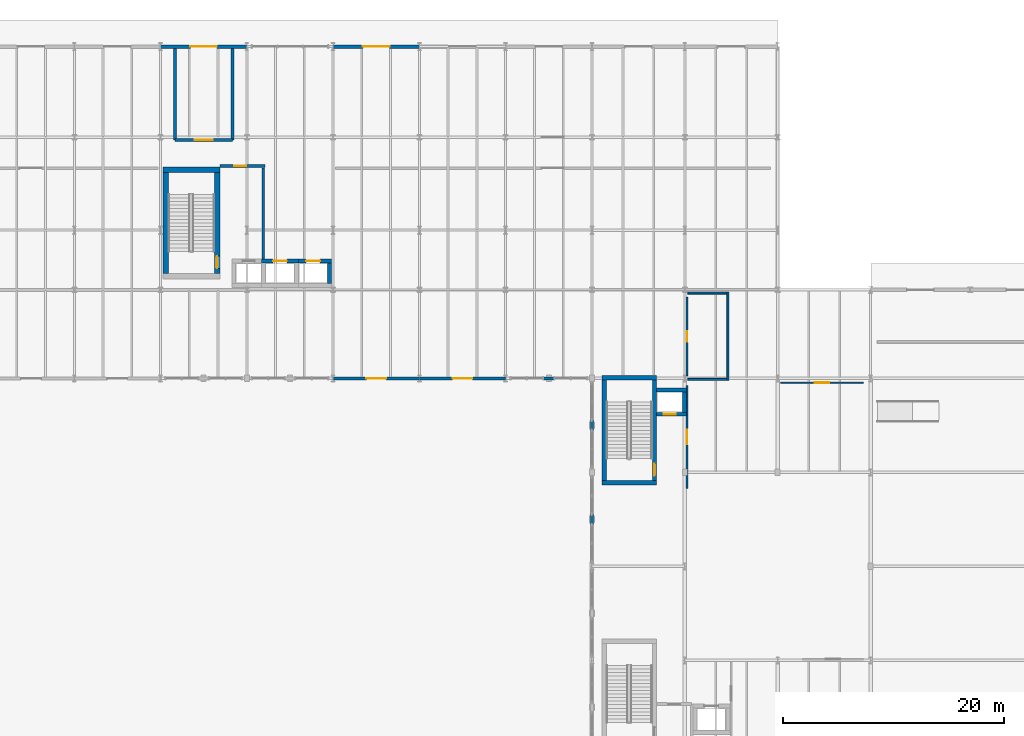
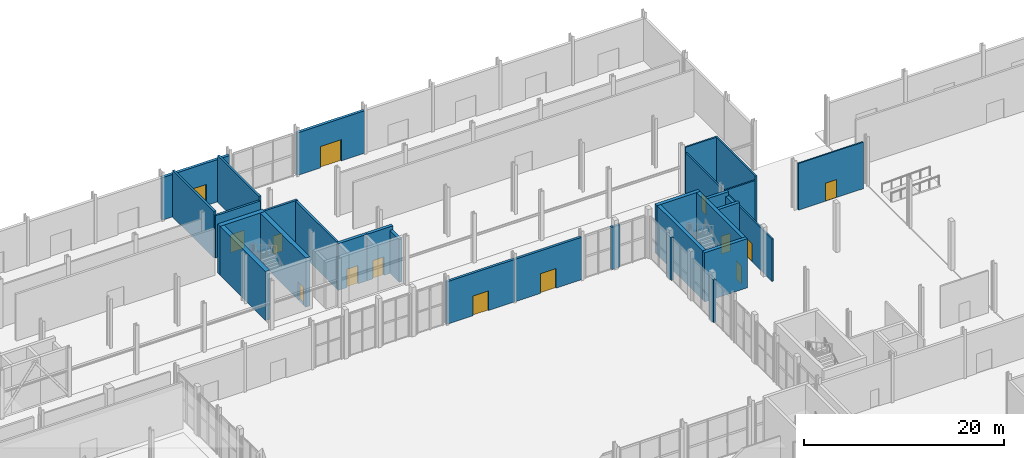
# One storey, part 60 of 84: 31 walls, 14 doors, 14 openings.
"""IFC4 building model written with IfcOpenShell, lengths in metres."""

from ifc_helpers import new_model, si_unit, direction, frame, frame_2d, origin, place, context, subcontext, project, spatial, rectangle, extrude, material, layer, layer_set, type_object, element, fill, save


model = new_model("IFC4")

# Units and contexts
model_context = context("Model", 3, precision=1e-05, world=origin(), true_north=direction((0.0, 1.0)))
body_context = subcontext(model_context, "Body", "Model", "MODEL_VIEW")
ifc_project = project(units=[si_unit("LENGTHUNIT", "METRE"), si_unit("AREAUNIT", "SQUARE_METRE"), si_unit("VOLUMEUNIT", "CUBIC_METRE"), si_unit("PLANEANGLEUNIT", "RADIAN"), si_unit("MASSUNIT", "GRAM", prefix="KILO")], contexts=[model_context])

# Site, building, storey
site_placement = place(None, origin())
site = spatial("IfcSite", under=ifc_project, at=site_placement, CompositionType="ELEMENT")
building_placement = place(site_placement, origin())
building = spatial("IfcBuilding", under=site, at=building_placement, Name="Sefraquen Railside Congress Hotel", CompositionType="ELEMENT")
storey_placement = place(building_placement, origin())
storey = spatial("IfcBuildingStorey", under=building, at=storey_placement, Name="L00", CompositionType="ELEMENT", Elevation=0.0)

# Wall, opening, door
ifc_material_1 = material(Name="Concrete C50/60", Category="concrete")
ifc_layer_1 = layer(ifc_material_1, 0.35009765625)
ifc_layer_set_1 = layer_set([ifc_layer_1], Name="Concrete C50/60")
wall_type_1 = type_object("IfcWallType", Name="TW-CW-350", PredefinedType="SHEAR", material=ifc_layer_set_1)
wall_1_placement = place(storey_placement, frame((73.330078125, 98.594970703125, 0.0), z_axis=(0.0, 0.0, 1.0), x_axis=(1.0, 0.0, 0.0)))
wall_1 = element("IfcWall", 1, at=wall_1_placement, inside=storey, type_object=wall_type_1, Name="Lift PL-05 shaft wall N L00", PredefinedType="SHEAR", context=body_context, shape_type="SweptSolid", body=[
    extrude(rectangle(XDim=3.33984375, YDim=0.35009765625, at=frame_2d((1.669921875, 0.0))), origin(), (0.0, 0.0, 1.0), 5.699951171875),
])
opening_1_placement = place(wall_1_placement, frame((1.044921875, 0.0, 0.0)))
opening_1 = element("IfcOpeningElement", 2, at=opening_1_placement, cuts=wall_1, Name="Opening LD-02", PredefinedType="OPENING", context=body_context, shape_type="SweptSolid", body=[
    extrude(rectangle(XDim=1.25, YDim=2.25, at=frame_2d((0.625, 1.125))), frame((0.0, 0.18505859375, 0.0), z_axis=(0.0, -1.0, 0.0), x_axis=(1.0, 0.0, 0.0)), (0.0, 0.0, 1.0), 0.3701171875),
])
ifc_material_2 = material(Name="Brushed stainless steel", Category="steel")
door_type_1 = type_object("IfcDoorType", Name="TD-LD-02", OperationType="NOTDEFINED", PredefinedType="DOOR", material=ifc_material_2)
door_1_placement = place(opening_1_placement, origin())
door_1 = element("IfcDoor", 3, at=door_1_placement, inside=storey, type_object=door_type_1, Name="Lift landing door PL-05 L00", OperationType="SLIDING_TO_LEFT", OverallHeight=2.25, OverallWidth=1.25, PredefinedType="DOOR", context=body_context, shape_type="SweptSolid", body=[
    extrude(rectangle(XDim=1.25, YDim=2.25, at=frame_2d((0.625, 1.125))), frame((0.0, 0.02490234375, 0.0), z_axis=(0.0, -1.0, 0.0), x_axis=(1.0, 0.0, 0.0)), (0.0, 0.0, 1.0), 0.050048828125),
])
fill(opening_1, door_1)

wall_2_placement = place(storey_placement, frame((76.669921875, 98.594970703125, 0.0), z_axis=(0.0, 0.0, 1.0), x_axis=(1.0, 0.0, 0.0)))
wall_2 = element("IfcWall", 4, at=wall_2_placement, inside=storey, type_object=wall_type_1, Name="Lift PL-06 shaft wall N L00", PredefinedType="SHEAR", context=body_context, shape_type="SweptSolid", body=[
    extrude(rectangle(XDim=2.989990234375, YDim=0.35009765625, at=frame_2d((1.4951171875, 0.0))), origin(), (0.0, 0.0, 1.0), 5.699951171875),
])
opening_2_placement = place(wall_2_placement, frame((0.695068359375, 0.0, 0.0)))
opening_2 = element("IfcOpeningElement", 5, at=opening_2_placement, cuts=wall_2, Name="Opening LD-02", PredefinedType="OPENING", context=body_context, shape_type="SweptSolid", body=[
    extrude(rectangle(XDim=1.25, YDim=2.25, at=frame_2d((0.625, 1.125))), frame((0.0, 0.18505859375, 0.0), z_axis=(0.0, -1.0, 0.0), x_axis=(1.0, 0.0, 0.0)), (0.0, 0.0, 1.0), 0.3701171875),
])
door_2_placement = place(opening_2_placement, origin())
door_2 = element("IfcDoor", 6, at=door_2_placement, inside=storey, type_object=door_type_1, Name="Lift landing door PL-06 L00", OperationType="SLIDING_TO_LEFT", OverallHeight=2.25, OverallWidth=1.25, PredefinedType="DOOR", context=body_context, shape_type="SweptSolid", body=[
    extrude(rectangle(XDim=1.25, YDim=2.25, at=frame_2d((0.625, 1.125))), frame((0.0, 0.02490234375, 0.0), z_axis=(0.0, -1.0, 0.0), x_axis=(1.0, 0.0, 0.0)), (0.0, 0.0, 1.0), 0.050048828125),
])
fill(opening_2, door_2)

# Walls
wall_3_placement = place(storey_placement, frame((79.485107421875, 96.580078125, 0.0), z_axis=(0.0, 0.0, 1.0), x_axis=(0.0, 1.0, 0.0)))
element("IfcWall", 7, at=wall_3_placement, inside=storey, type_object=wall_type_1, Name="Lift PL-06 shaft wall E L00", PredefinedType="SHEAR", context=body_context, shape_type="SweptSolid", body=[
    extrude(rectangle(XDim=1.83984375, YDim=0.35009765625, at=frame_2d((0.919921875, 0.0))), origin(), (0.0, 0.0, 1.0), 5.239990234375),
])
wall_4_placement = place(storey_placement, frame((109.06005859375, 86.945068359375, 0.0), z_axis=(0.0, 0.0, 1.0), x_axis=(1.0, 0.0, 0.0)))
element("IfcWall", 8, at=wall_4_placement, inside=storey, type_object=wall_type_1, Name="Lift PL-07 shaft wall N L00", PredefinedType="SHEAR", context=body_context, shape_type="SweptSolid", body=[
    extrude(rectangle(XDim=2.68994140625, YDim=0.35009765625, at=frame_2d((1.344970703125, 0.0))), origin(), (0.0, 0.0, 1.0), 5.699951171875),
])

# Wall, opening, door
wall_5_placement = place(storey_placement, frame((109.06005859375, 84.7548828125, 0.0), z_axis=(0.0, 0.0, 1.0), x_axis=(1.0, 0.0, 0.0)))
wall_5 = element("IfcWall", 9, at=wall_5_placement, inside=storey, type_object=wall_type_1, Name="Lift PL-07 shaft wall S L00", PredefinedType="SHEAR", context=body_context, shape_type="SweptSolid", body=[
    extrude(rectangle(XDim=2.68994140625, YDim=0.35009765625, at=frame_2d((1.344970703125, 0.0))), origin(), (0.0, 0.0, 1.0), 5.699951171875),
])
opening_3_placement = place(wall_5_placement, frame((0.6201171875, 0.0, 0.0)))
opening_3 = element("IfcOpeningElement", 10, at=opening_3_placement, cuts=wall_5, Name="Opening LD-01", PredefinedType="OPENING", context=body_context, shape_type="SweptSolid", body=[
    extrude(rectangle(XDim=1.10009765625, YDim=2.199951171875, at=frame_2d((0.550048828125, 1.10009765625))), frame((0.0, 0.18505859375, 0.0), z_axis=(0.0, -1.0, 0.0), x_axis=(1.0, 0.0, 0.0)), (0.0, 0.0, 1.0), 0.3701171875),
])
ifc_material_3 = material(Name="Brushed bronze stainless steel", Category="steel")
door_type_2 = type_object("IfcDoorType", Name="TD-LD-01", OperationType="NOTDEFINED", PredefinedType="DOOR", material=ifc_material_3)
door_3_placement = place(opening_3_placement, origin())
door_3 = element("IfcDoor", 11, at=door_3_placement, inside=storey, type_object=door_type_2, Name="Lift landing door PL-07 L00", OperationType="SLIDING_TO_LEFT", OverallHeight=2.199951171875, OverallWidth=1.10009765625, PredefinedType="DOOR", context=body_context, shape_type="SweptSolid", body=[
    extrude(rectangle(XDim=1.10009765625, YDim=2.199951171875, at=frame_2d((0.550048828125, 1.10009765625))), frame((0.0, 0.02490234375, 0.0), z_axis=(0.0, -1.0, 0.0), x_axis=(1.0, 0.0, 0.0)), (0.0, 0.0, 1.0), 0.050048828125),
])
fill(opening_3, door_3)

# Walls
wall_6_placement = place(storey_placement, frame((111.574951171875, 84.929931640625, 0.0), z_axis=(0.0, 0.0, 1.0), x_axis=(0.0, 1.0, 0.0)))
element("IfcWall", 12, at=wall_6_placement, inside=storey, type_object=wall_type_1, Name="Lift PL-07 shaft wall E L00", PredefinedType="SHEAR", context=body_context, shape_type="SweptSolid", body=[
    extrude(rectangle(XDim=1.840087890625, YDim=0.35009765625, at=frame_2d((0.919921875, 0.0))), origin(), (0.0, 0.0, 1.0), 5.199951171875),
])
ifc_layer_2 = layer(ifc_material_1, 0.39990234375)
ifc_layer_set_2 = layer_set([ifc_layer_2], Name="Concrete C50/60")
wall_type_2 = type_object("IfcWallType", Name="TW-CW-400", PredefinedType="SHEAR", material=ifc_layer_set_2)
for number, where, z_axis, x_axis, name in (
    (13, (104.10009765625, 88.06201171875, 0.0), (0.0, 0.0, 1.0), (1.0, 0.0, 0.0), "Core shear wall ST-M01 N L00"),
    (14, (104.10009765625, 78.550048828125, 0.0), (0.0, 0.0, 1.0), (1.0, 0.0, 0.0), "Core shear wall ST-M01 S L00"),
):
    element("IfcWall", number, at=place(storey_placement, frame(where, z_axis=z_axis, x_axis=x_axis)), inside=storey, type_object=wall_type_2, Name=name, PredefinedType="SHEAR", context=body_context, shape_type="SweptSolid", body=[
        extrude(rectangle(XDim=4.9599609375, YDim=0.39990234375, at=frame_2d((2.47998046875, 0.0))), origin(), (0.0, 0.0, 1.0), 6.0),
    ])
wall_7_placement = place(storey_placement, frame((104.300048828125, 78.75, 0.0), z_axis=(0.0, 0.0, 1.0), x_axis=(0.0, 1.0, 0.0)))
element("IfcWall", 15, at=wall_7_placement, inside=storey, type_object=wall_type_2, Name="Core shear wall ST-M01 W L00", PredefinedType="SHEAR", context=body_context, shape_type="SweptSolid", body=[
    extrude(rectangle(XDim=9.112060546875, YDim=0.39990234375, at=frame_2d((4.55615234375, 0.0))), origin(), (0.0, 0.0, 1.0), 6.0),
])

# Wall, opening, door
wall_8_placement = place(storey_placement, frame((108.860107421875, 78.75, 0.0), z_axis=(0.0, 0.0, 1.0), x_axis=(0.0, 1.0, 0.0)))
wall_8 = element("IfcWall", 16, at=wall_8_placement, inside=storey, type_object=wall_type_2, Name="Core shear wall ST-M01 E L00", PredefinedType="SHEAR", context=body_context, shape_type="SweptSolid", body=[
    extrude(rectangle(XDim=9.112060546875, YDim=0.39990234375, at=frame_2d((4.55615234375, 0.0))), origin(), (0.0, 0.0, 1.0), 6.0),
])
opening_4_placement = place(wall_8_placement, frame((0.43994140625, 0.0, 0.0)))
opening_4 = element("IfcOpeningElement", 17, at=opening_4_placement, cuts=wall_8, Name="Opening FD-04", PredefinedType="OPENING", context=body_context, shape_type="SweptSolid", body=[
    extrude(rectangle(XDim=1.10009765625, YDim=2.199951171875, at=frame_2d((0.550048828125, 1.10009765625))), frame((0.0, 0.2099609375, 0.0), z_axis=(0.0, -1.0, 0.0), x_axis=(1.0, 0.0, 0.0)), (0.0, 0.0, 1.0), 0.419921875),
])
ifc_material_4 = material(Name="Fire-rated steel", Category="steel")
door_type_3 = type_object("IfcDoorType", Name="TD-FD-04", OperationType="NOTDEFINED", PredefinedType="DOOR", material=ifc_material_4)
door_4_placement = place(opening_4_placement, origin())
door_4 = element("IfcDoor", 18, at=door_4_placement, inside=storey, type_object=door_type_3, Name="Pressurized stair ST-M01 fire door L00", OperationType="SINGLE_SWING_RIGHT", OverallHeight=2.199951171875, OverallWidth=1.10009765625, PredefinedType="DOOR", context=body_context, shape_type="SweptSolid", body=[
    extrude(rectangle(XDim=1.10009765625, YDim=2.199951171875, at=frame_2d((0.550048828125, 1.10009765625))), frame((0.0, 0.02490234375, 0.0), z_axis=(0.0, -1.0, 0.0), x_axis=(1.0, 0.0, 0.0)), (0.0, 0.0, 1.0), 0.050048828125),
])
fill(opening_4, door_4)

# Walls
ifc_layer_3 = layer(ifc_material_1, 0.5)
ifc_layer_set_3 = layer_set([ifc_layer_3], Name="Concrete C50/60")
wall_type_3 = type_object("IfcWallType", Name="TW-CW-500", PredefinedType="SHEAR", material=ifc_layer_set_3)
wall_9_placement = place(storey_placement, frame((64.39990234375, 106.862060546875, 0.0), z_axis=(0.0, 0.0, 1.0), x_axis=(1.0, 0.0, 0.0)))
element("IfcWall", 19, at=wall_9_placement, inside=storey, type_object=wall_type_3, Name="Core shear wall ST-H03 N L00", PredefinedType="SHEAR", context=body_context, shape_type="SweptSolid", body=[
    extrude(rectangle(XDim=5.16015625, YDim=0.5, at=frame_2d((2.580078125, 0.0))), origin(), (0.0, 0.0, 1.0), 6.0),
])
wall_10_placement = place(storey_placement, frame((64.64990234375, 97.5, 0.0), z_axis=(0.0, 0.0, 1.0), x_axis=(0.0, 1.0, 0.0)))
element("IfcWall", 20, at=wall_10_placement, inside=storey, type_object=wall_type_3, Name="Core shear wall ST-H03 W L00", PredefinedType="SHEAR", context=body_context, shape_type="SweptSolid", body=[
    extrude(rectangle(XDim=9.112060546875, YDim=0.5, at=frame_2d((4.55615234375, 0.0))), origin(), (0.0, 0.0, 1.0), 6.0),
])

# Wall, opening, door
wall_11_placement = place(storey_placement, frame((69.31005859375, 97.5, 0.0), z_axis=(0.0, 0.0, 1.0), x_axis=(0.0, 1.0, 0.0)))
wall_11 = element("IfcWall", 21, at=wall_11_placement, inside=storey, type_object=wall_type_3, Name="Core shear wall ST-H03 E L00", PredefinedType="SHEAR", context=body_context, shape_type="SweptSolid", body=[
    extrude(rectangle(XDim=9.112060546875, YDim=0.5, at=frame_2d((4.55615234375, 0.0))), origin(), (0.0, 0.0, 1.0), 6.0),
])
opening_5_placement = place(wall_11_placement, frame((0.43994140625, 0.0, 0.0)))
opening_5 = element("IfcOpeningElement", 22, at=opening_5_placement, cuts=wall_11, Name="Opening FD-04", PredefinedType="OPENING", context=body_context, shape_type="SweptSolid", body=[
    extrude(rectangle(XDim=1.10009765625, YDim=2.199951171875, at=frame_2d((0.550048828125, 1.10009765625))), frame((0.0, 0.260009765625, 0.0), z_axis=(0.0, -1.0, 0.0), x_axis=(1.0, 0.0, 0.0)), (0.0, 0.0, 1.0), 0.52001953125),
])
door_5_placement = place(opening_5_placement, origin())
door_5 = element("IfcDoor", 23, at=door_5_placement, inside=storey, type_object=door_type_3, Name="Pressurized stair ST-H03 fire door L00", OperationType="SINGLE_SWING_RIGHT", OverallHeight=2.199951171875, OverallWidth=1.10009765625, PredefinedType="DOOR", context=body_context, shape_type="SweptSolid", body=[
    extrude(rectangle(XDim=1.10009765625, YDim=2.199951171875, at=frame_2d((0.550048828125, 1.10009765625))), frame((0.0, 0.02490234375, 0.0), z_axis=(0.0, -1.0, 0.0), x_axis=(1.0, 0.0, 0.0)), (0.0, 0.0, 1.0), 0.050048828125),
])
fill(opening_5, door_5)

ifc_material_5 = material(Name="Ochre Rabat calcarenite limestone and Concrete C40/50 backing", Category="masonry")
ifc_layer_4 = layer(ifc_material_5, 0.280029296875)
ifc_layer_set_4 = layer_set([ifc_layer_4], Name="Ochre Rabat calcarenite limestone and Concrete C40/50 backing")
wall_type_4 = type_object("IfcWallType", Name="TW-EW-280", PredefinedType="STANDARD", material=ifc_layer_set_4)
wall_12_placement = place(storey_placement, frame((79.800048828125, 88.0, 0.0), z_axis=(0.0, 0.0, 1.0), x_axis=(1.0, 0.0, 0.0)))
wall_12 = element("IfcWall", 24, at=wall_12_placement, inside=storey, type_object=wall_type_4, Name="Courtyard north portal wall 79", PredefinedType="STANDARD", context=body_context, shape_type="SweptSolid", body=[
    extrude(rectangle(XDim=7.800048828125, YDim=0.280029296875, at=frame_2d((3.89990234375, 0.0))), origin(), (0.0, 0.0, 1.0), 5.18994140625),
])
opening_6_placement = place(wall_12_placement, frame((3.0, 0.0, 0.0)))
opening_6 = element("IfcOpeningElement", 25, at=opening_6_placement, cuts=wall_12, Name="Opening ED-07", PredefinedType="OPENING", context=body_context, shape_type="SweptSolid", body=[
    extrude(rectangle(XDim=1.800048828125, YDim=2.39990234375, at=frame_2d((0.89990234375, 1.199951171875))), frame((0.0, 0.14990234375, 0.0), z_axis=(0.0, -1.0, 0.0), x_axis=(1.0, 0.0, 0.0)), (0.0, 0.0, 1.0), 0.300048828125),
])
ifc_material_6 = material(Name="Bronze and low-E fire-rated glass", Category="glass")
door_type_4 = type_object("IfcDoorType", Name="TD-ED-07", OperationType="NOTDEFINED", PredefinedType="DOOR", material=ifc_material_6)
door_6_placement = place(opening_6_placement, frame((1.800048828125, 0.0, 0.0), z_axis=(0.0, 0.0, 1.0), x_axis=(-1.0, 0.0, 0.0)))
door_6 = element("IfcDoor", 26, at=door_6_placement, inside=storey, type_object=door_type_4, Name="Courtyard garden exit door 20", OperationType="DOUBLE_SWING_LEFT", OverallHeight=2.39990234375, OverallWidth=1.800048828125, PredefinedType="DOOR", context=body_context, shape_type="SweptSolid", body=[
    extrude(rectangle(XDim=1.800048828125, YDim=2.39990234375, at=frame_2d((0.89990234375, 1.199951171875))), frame((0.0, 0.02490234375, 0.0), z_axis=(0.0, -1.0, 0.0), x_axis=(1.0, 0.0, 0.0)), (0.0, 0.0, 1.0), 0.050048828125),
])
fill(opening_6, door_6)

wall_13_placement = place(storey_placement, frame((87.60009765625, 88.0, 0.0), z_axis=(0.0, 0.0, 1.0), x_axis=(1.0, 0.0, 0.0)))
wall_13 = element("IfcWall", 27, at=wall_13_placement, inside=storey, type_object=wall_type_4, Name="Courtyard north portal wall 87", PredefinedType="STANDARD", context=body_context, shape_type="SweptSolid", body=[
    extrude(rectangle(XDim=7.7998046875, YDim=0.280029296875, at=frame_2d((3.89990234375, 0.0))), origin(), (0.0, 0.0, 1.0), 5.18994140625),
])
opening_7_placement = place(wall_13_placement, frame((3.0, 0.0, 0.0)))
opening_7 = element("IfcOpeningElement", 28, at=opening_7_placement, cuts=wall_13, Name="Opening ED-07", PredefinedType="OPENING", context=body_context, shape_type="SweptSolid", body=[
    extrude(rectangle(XDim=1.800048828125, YDim=2.39990234375, at=frame_2d((0.89990234375, 1.199951171875))), frame((0.0, 0.14990234375, 0.0), z_axis=(0.0, -1.0, 0.0), x_axis=(1.0, 0.0, 0.0)), (0.0, 0.0, 1.0), 0.300048828125),
])
door_7_placement = place(opening_7_placement, frame((1.800048828125, 0.0, 0.0), z_axis=(0.0, 0.0, 1.0), x_axis=(-1.0, 0.0, 0.0)))
door_7 = element("IfcDoor", 29, at=door_7_placement, inside=storey, type_object=door_type_4, Name="Courtyard garden exit door 21", OperationType="DOUBLE_SWING_LEFT", OverallHeight=2.39990234375, OverallWidth=1.800048828125, PredefinedType="DOOR", context=body_context, shape_type="SweptSolid", body=[
    extrude(rectangle(XDim=1.800048828125, YDim=2.39990234375, at=frame_2d((0.89990234375, 1.199951171875))), frame((0.0, 0.02490234375, 0.0), z_axis=(0.0, -1.0, 0.0), x_axis=(1.0, 0.0, 0.0)), (0.0, 0.0, 1.0), 0.050048828125),
])
fill(opening_7, door_7)

# Walls
wall_14_placement = place(storey_placement, frame((98.820068359375, 88.0, 0.0), z_axis=(0.0, 0.0, 1.0), x_axis=(1.0, 0.0, 0.0)))
element("IfcWall", 30, at=wall_14_placement, inside=storey, type_object=wall_type_4, Name="Courtyard north arcade curtain wall UCW-14 column pier closure 1", PredefinedType="STANDARD", context=body_context, shape_type="SweptSolid", body=[
    extrude(rectangle(XDim=0.9599609375, YDim=0.260009765625, at=frame_2d((0.47998046875, 0.0))), origin(), (0.0, 0.0, 1.0), 5.18994140625),
])
for number, where, z_axis, x_axis, name in (
    (31, (103.199951171875, 74.77001953125, 0.0), (0.0, 0.0, 1.0), (0.0, 1.0, 0.0), "Courtyard east arcade curtain wall UCW-20 column pier closure 1"),
    (32, (103.199951171875, 83.27001953125, 0.0), (0.0, 0.0, 1.0), (0.0, 1.0, 0.0), "Courtyard east arcade curtain wall UCW-22 column pier closure 1"),
):
    element("IfcWall", number, at=place(storey_placement, frame(where, z_axis=z_axis, x_axis=x_axis)), inside=storey, type_object=wall_type_4, Name=name, PredefinedType="STANDARD", context=body_context, shape_type="SweptSolid", body=[
        extrude(rectangle(XDim=0.9599609375, YDim=0.260009765625, at=frame_2d((0.47998046875, 0.0))), origin(), (0.0, 0.0, 1.0), 5.199951171875),
    ])

# Wall, opening, door
ifc_layer_5 = layer(ifc_material_5, 0.320068359375)
ifc_layer_set_5 = layer_set([ifc_layer_5], Name="Ochre Rabat calcarenite limestone and Concrete C40/50 backing")
wall_type_5 = type_object("IfcWallType", Name="TW-EW-320", PredefinedType="STANDARD", material=ifc_layer_set_5)
wall_15_placement = place(storey_placement, frame((64.199951171875, 118.0, 0.0), z_axis=(0.0, 0.0, 1.0), x_axis=(1.0, 0.0, 0.0)))
wall_15 = element("IfcWall", 33, at=wall_15_placement, inside=storey, type_object=wall_type_5, Name="Hotel Boulevard entrance portal wall 6", PredefinedType="STANDARD", context=body_context, shape_type="SweptSolid", body=[
    extrude(rectangle(XDim=7.800048828125, YDim=0.320068359375, at=frame_2d((3.89990234375, 0.0))), origin(), (0.0, 0.0, 1.0), 5.18994140625),
])
opening_8_placement = place(wall_15_placement, frame((2.699951171875, 0.0, 0.0)))
opening_8 = element("IfcOpeningElement", 34, at=opening_8_placement, cuts=wall_15, Name="Opening ED-01", PredefinedType="OPENING", context=body_context, shape_type="SweptSolid", body=[
    extrude(rectangle(XDim=2.39990234375, YDim=2.60009765625, at=frame_2d((1.199951171875, 1.300048828125))), frame((0.0, 0.169921875, 0.0), z_axis=(0.0, -1.0, 0.0), x_axis=(1.0, 0.0, 0.0)), (0.0, 0.0, 1.0), 0.340087890625),
])
ifc_material_7 = material(Name="Bronze and fire-rated laminated glass", Category="glass")
door_type_5 = type_object("IfcDoorType", Name="TD-ED-01", OperationType="NOTDEFINED", PredefinedType="DOOR", material=ifc_material_7)
door_8_placement = place(opening_8_placement, origin())
door_8 = element("IfcDoor", 35, at=door_8_placement, inside=storey, type_object=door_type_5, Name="Hotel North Boulevard grand entrance 27", OperationType="DOUBLE_SWING_LEFT", OverallHeight=2.60009765625, OverallWidth=2.39990234375, PredefinedType="DOOR", context=body_context, shape_type="SweptSolid", body=[
    extrude(rectangle(XDim=2.39990234375, YDim=2.60009765625, at=frame_2d((1.199951171875, 1.300048828125))), frame((0.0, 0.02490234375, 0.0), z_axis=(0.0, -1.0, 0.0), x_axis=(1.0, 0.0, 0.0)), (0.0, 0.0, 1.0), 0.050048828125),
])
fill(opening_8, door_8)

wall_16_placement = place(storey_placement, frame((79.800048828125, 118.0, 0.0), z_axis=(0.0, 0.0, 1.0), x_axis=(1.0, 0.0, 0.0)))
wall_16 = element("IfcWall", 36, at=wall_16_placement, inside=storey, type_object=wall_type_5, Name="Hotel Boulevard entrance portal wall 8", PredefinedType="STANDARD", context=body_context, shape_type="SweptSolid", body=[
    extrude(rectangle(XDim=7.800048828125, YDim=0.320068359375, at=frame_2d((3.89990234375, 0.0))), origin(), (0.0, 0.0, 1.0), 5.18994140625),
])
opening_9_placement = place(wall_16_placement, frame((2.699951171875, 0.0, 0.0)))
opening_9 = element("IfcOpeningElement", 37, at=opening_9_placement, cuts=wall_16, Name="Opening ED-01", PredefinedType="OPENING", context=body_context, shape_type="SweptSolid", body=[
    extrude(rectangle(XDim=2.39990234375, YDim=2.60009765625, at=frame_2d((1.199951171875, 1.300048828125))), frame((0.0, 0.169921875, 0.0), z_axis=(0.0, -1.0, 0.0), x_axis=(1.0, 0.0, 0.0)), (0.0, 0.0, 1.0), 0.340087890625),
])
door_9_placement = place(opening_9_placement, origin())
door_9 = element("IfcDoor", 38, at=door_9_placement, inside=storey, type_object=door_type_5, Name="Hotel North Boulevard grand entrance 28", OperationType="DOUBLE_SWING_LEFT", OverallHeight=2.60009765625, OverallWidth=2.39990234375, PredefinedType="DOOR", context=body_context, shape_type="SweptSolid", body=[
    extrude(rectangle(XDim=2.39990234375, YDim=2.60009765625, at=frame_2d((1.199951171875, 1.300048828125))), frame((0.0, 0.02490234375, 0.0), z_axis=(0.0, -1.0, 0.0), x_axis=(1.0, 0.0, 0.0)), (0.0, 0.0, 1.0), 0.050048828125),
])
fill(opening_9, door_9)

# Wall
ifc_material_8 = material(Name="Concrete C40/50", Category="concrete")
ifc_layer_6 = layer(ifc_material_8, 0.239990234375)
ifc_layer_set_6 = layer_set([ifc_layer_6], Name="Concrete C40/50")
wall_type_6 = type_object("IfcWallType", Name="TW-FW-240", PredefinedType="STANDARD", material=ifc_layer_set_6)
wall_17_placement = place(storey_placement, frame((73.47998046875, 98.780029296875, 0.0), z_axis=(0.0, 0.0, 1.0), x_axis=(0.0, 1.0, 0.0)))
element("IfcWall", 39, at=wall_17_placement, inside=storey, type_object=wall_type_6, Name="Firefighting Lift Lobby FFL-03 east fire wall L00", PredefinedType="STANDARD", context=body_context, shape_type="SweptSolid", body=[
    extrude(rectangle(XDim=8.239990234375, YDim=0.239990234375, at=frame_2d((4.1201171875, 0.0))), origin(), (0.0, 0.0, 1.0), 5.699951171875),
])

# Wall, opening, door
wall_18_placement = place(storey_placement, frame((69.56005859375, 107.199951171875, 0.0), z_axis=(0.0, 0.0, 1.0), x_axis=(1.0, 0.0, 0.0)))
wall_18 = element("IfcWall", 40, at=wall_18_placement, inside=storey, type_object=wall_type_6, Name="Firefighting Lift Lobby FFL-03 EI 120 separation wall L00", PredefinedType="STANDARD", context=body_context, shape_type="SweptSolid", body=[
    extrude(rectangle(XDim=4.099853515625, YDim=0.239990234375, at=frame_2d((2.0498046875, 0.0))), origin(), (0.0, 0.0, 1.0), 5.699951171875),
])
opening_10_placement = place(wall_18_placement, frame((1.300048828125, 0.0, 0.0)))
opening_10 = element("IfcOpeningElement", 41, at=opening_10_placement, cuts=wall_18, Name="Opening FD-04", PredefinedType="OPENING", context=body_context, shape_type="SweptSolid", body=[
    extrude(rectangle(XDim=1.10009765625, YDim=2.199951171875, at=frame_2d((0.550048828125, 1.10009765625))), frame((0.0, 0.1298828125, 0.0), z_axis=(0.0, -1.0, 0.0), x_axis=(1.0, 0.0, 0.0)), (0.0, 0.0, 1.0), 0.260009765625),
])
door_10_placement = place(opening_10_placement, origin())
door_10 = element("IfcDoor", 42, at=door_10_placement, inside=storey, type_object=door_type_3, Name="Firefighting Lift Lobby FFL-03 self-closing fire door L00", OperationType="SINGLE_SWING_RIGHT", OverallHeight=2.199951171875, OverallWidth=1.10009765625, PredefinedType="DOOR", context=body_context, shape_type="SweptSolid", body=[
    extrude(rectangle(XDim=1.10009765625, YDim=2.199951171875, at=frame_2d((0.550048828125, 1.10009765625))), frame((0.0, 0.02490234375, 0.0), z_axis=(0.0, -1.0, 0.0), x_axis=(1.0, 0.0, 0.0)), (0.0, 0.0, 1.0), 0.050048828125),
])
fill(opening_10, door_10)

# Walls
for number, where, z_axis, x_axis, name in (
    (43, (65.5, 109.550048828125, 0.0), (0.0, 0.0, 1.0), (0.0, 1.0, 0.0), "Hotel boulevard stair discharge EI 120 west fire wall"),
    (44, (70.699951171875, 109.550048828125, 0.0), (0.0, 0.0, 1.0), (0.0, 1.0, 0.0), "Hotel boulevard stair discharge EI 120 east fire wall"),
):
    element("IfcWall", number, at=place(storey_placement, frame(where, z_axis=z_axis, x_axis=x_axis)), inside=storey, type_object=wall_type_6, Name=name, PredefinedType="STANDARD", context=body_context, shape_type="SweptSolid", body=[
        extrude(rectangle(XDim=8.2900390625, YDim=0.239990234375, at=frame_2d((4.14501953125, 0.0))), origin(), (0.0, 0.0, 1.0), 5.699951171875),
    ])

# Wall, opening, door
wall_19_placement = place(storey_placement, frame((65.5, 109.550048828125, 0.0), z_axis=(0.0, 0.0, 1.0), x_axis=(1.0, 0.0, 0.0)))
wall_19 = element("IfcWall", 45, at=wall_19_placement, inside=storey, type_object=wall_type_6, Name="Hotel boulevard stair discharge EI 120 south fire wall", PredefinedType="STANDARD", context=body_context, shape_type="SweptSolid", body=[
    extrude(rectangle(XDim=5.199951171875, YDim=0.239990234375, at=frame_2d((2.60009765625, 0.0))), origin(), (0.0, 0.0, 1.0), 5.18994140625),
])
opening_11_placement = place(wall_19_placement, frame((1.800048828125, 0.0, 0.0)))
opening_11 = element("IfcOpeningElement", 46, at=opening_11_placement, cuts=wall_19, Name="Opening FD-02", PredefinedType="OPENING", context=body_context, shape_type="SweptSolid", body=[
    extrude(rectangle(XDim=1.60009765625, YDim=2.199951171875, at=frame_2d((0.800048828125, 1.10009765625))), frame((0.0, 0.1298828125, 0.0), z_axis=(0.0, -1.0, 0.0), x_axis=(1.0, 0.0, 0.0)), (0.0, 0.0, 1.0), 0.260009765625),
])
door_type_6 = type_object("IfcDoorType", Name="TD-FD-02", OperationType="NOTDEFINED", PredefinedType="DOOR", material=ifc_material_4)
door_11_placement = place(opening_11_placement, origin())
door_11 = element("IfcDoor", 47, at=door_11_placement, inside=storey, type_object=door_type_6, Name="Hotel boulevard stair discharge EI 120 south fire wall self-closing fire door", OperationType="DOUBLE_SWING_LEFT", OverallHeight=2.199951171875, OverallWidth=1.60009765625, PredefinedType="DOOR", context=body_context, shape_type="SweptSolid", body=[
    extrude(rectangle(XDim=1.60009765625, YDim=2.199951171875, at=frame_2d((0.800048828125, 1.10009765625))), frame((0.0, 0.02490234375, 0.0), z_axis=(0.0, -1.0, 0.0), x_axis=(1.0, 0.0, 0.0)), (0.0, 0.0, 1.0), 0.050048828125),
])
fill(opening_11, door_11)

ifc_material_9 = material(Name="Moisture-resistant gypsum board", Category="gypsum")
ifc_layer_7 = layer(ifc_material_9, 0.159912109375)
ifc_layer_set_7 = layer_set([ifc_layer_7], Name="Moisture-resistant gypsum board")
wall_type_7 = type_object("IfcWallType", Name="TW-PW-160", PredefinedType="PARTITIONING", material=ifc_layer_set_7)
wall_20_placement = place(storey_placement, frame((111.800048828125, 78.050048828125, 0.0), z_axis=(0.0, 0.0, 1.0), x_axis=(0.0, 1.0, 0.0)))
wall_20 = element("IfcWall", 48, at=wall_20_placement, inside=storey, type_object=wall_type_7, Name="Meeting Room 03 enclosure wall", PredefinedType="PARTITIONING", context=body_context, shape_type="SweptSolid", body=[
    extrude(rectangle(XDim=9.300048828125, YDim=0.159912109375, at=frame_2d((4.64990234375, 0.0))), origin(), (0.0, 0.0, 1.0), 5.199951171875),
])
opening_12_placement = place(wall_20_placement, frame((4.0, 0.0, 0.0)))
opening_12 = element("IfcOpeningElement", 49, at=opening_12_placement, cuts=wall_20, Name="Opening MD-02", PredefinedType="OPENING", context=body_context, shape_type="SweptSolid", body=[
    extrude(rectangle(XDim=1.300048828125, YDim=2.199951171875, at=frame_2d((0.64990234375, 1.10009765625))), frame((0.0, 0.08984375, 0.0), z_axis=(0.0, -1.0, 0.0), x_axis=(1.0, 0.0, 0.0)), (0.0, 0.0, 1.0), 0.179931640625),
])
ifc_material_10 = material(Name="Acoustic cedar veneer", Category="wood")
door_type_7 = type_object("IfcDoorType", Name="TD-MD-02", OperationType="NOTDEFINED", PredefinedType="DOOR", material=ifc_material_10)
door_12_placement = place(opening_12_placement, origin())
door_12 = element("IfcDoor", 50, at=door_12_placement, inside=storey, type_object=door_type_7, Name="Meeting Room 03 entrance door", OperationType="SINGLE_SWING_LEFT", OverallHeight=2.199951171875, OverallWidth=1.300048828125, PredefinedType="DOOR", context=body_context, shape_type="SweptSolid", body=[
    extrude(rectangle(XDim=1.300048828125, YDim=2.199951171875, at=frame_2d((0.64990234375, 1.10009765625))), frame((0.0, 0.02490234375, 0.0), z_axis=(0.0, -1.0, 0.0), x_axis=(1.0, 0.0, 0.0)), (0.0, 0.0, 1.0), 0.050048828125),
])
fill(opening_12, door_12)

wall_21_placement = place(storey_placement, frame((120.25, 87.60009765625, 0.0), z_axis=(0.0, 0.0, 1.0), x_axis=(1.0, 0.0, 0.0)))
wall_21 = element("IfcWall", 51, at=wall_21_placement, inside=storey, type_object=wall_type_7, Name="Meeting Room 04 enclosure wall", PredefinedType="PARTITIONING", context=body_context, shape_type="SweptSolid", body=[
    extrude(rectangle(XDim=7.5, YDim=0.159912109375, at=frame_2d((3.75, 0.0))), origin(), (0.0, 0.0, 1.0), 5.699951171875),
])
opening_13_placement = place(wall_21_placement, frame((3.10009765625, 0.0, 0.0)))
opening_13 = element("IfcOpeningElement", 52, at=opening_13_placement, cuts=wall_21, Name="Opening MD-02", PredefinedType="OPENING", context=body_context, shape_type="SweptSolid", body=[
    extrude(rectangle(XDim=1.300048828125, YDim=2.199951171875, at=frame_2d((0.64990234375, 1.10009765625))), frame((0.0, 0.08984375, 0.0), z_axis=(0.0, -1.0, 0.0), x_axis=(1.0, 0.0, 0.0)), (0.0, 0.0, 1.0), 0.179931640625),
])
door_13_placement = place(opening_13_placement, origin())
door_13 = element("IfcDoor", 53, at=door_13_placement, inside=storey, type_object=door_type_7, Name="Meeting Room 04 entrance door", OperationType="SINGLE_SWING_RIGHT", OverallHeight=2.199951171875, OverallWidth=1.300048828125, PredefinedType="DOOR", context=body_context, shape_type="SweptSolid", body=[
    extrude(rectangle(XDim=1.300048828125, YDim=2.199951171875, at=frame_2d((0.64990234375, 1.10009765625))), frame((0.0, 0.02490234375, 0.0), z_axis=(0.0, -1.0, 0.0), x_axis=(1.0, 0.0, 0.0)), (0.0, 0.0, 1.0), 0.050048828125),
])
fill(opening_13, door_13)

wall_22_placement = place(storey_placement, frame((111.800048828125, 88.25, 0.0), z_axis=(0.0, 0.0, 1.0), x_axis=(0.0, 1.0, 0.0)))
wall_22 = element("IfcWall", 54, at=wall_22_placement, inside=storey, type_object=wall_type_7, Name="Meeting Wing Public Accessible WC enclosure wall", PredefinedType="PARTITIONING", context=body_context, shape_type="SweptSolid", body=[
    extrude(rectangle(XDim=7.10009765625, YDim=0.159912109375, at=frame_2d((3.550048828125, 0.0))), origin(), (0.0, 0.0, 1.0), 5.239990234375),
])
opening_14_placement = place(wall_22_placement, frame((3.080078125, 0.0, 0.0)))
opening_14 = element("IfcOpeningElement", 55, at=opening_14_placement, cuts=wall_22, Name="Opening ID-01", PredefinedType="OPENING", context=body_context, shape_type="SweptSolid", body=[
    extrude(rectangle(XDim=0.93994140625, YDim=2.14990234375, at=frame_2d((0.469970703125, 1.074951171875))), frame((0.0, 0.08984375, 0.0), z_axis=(0.0, -1.0, 0.0), x_axis=(1.0, 0.0, 0.0)), (0.0, 0.0, 1.0), 0.179931640625),
])
ifc_material_11 = material(Name="Lacquered cedar joinery", Category="wood")
door_type_8 = type_object("IfcDoorType", Name="TD-ID-01", OperationType="NOTDEFINED", PredefinedType="DOOR", material=ifc_material_11)
door_14_placement = place(opening_14_placement, origin())
door_14 = element("IfcDoor", 56, at=door_14_placement, inside=storey, type_object=door_type_8, Name="Meeting Wing Public Accessible WC entrance door", OperationType="SINGLE_SWING_LEFT", OverallHeight=2.14990234375, OverallWidth=0.93994140625, PredefinedType="DOOR", context=body_context, shape_type="SweptSolid", body=[
    extrude(rectangle(XDim=0.93994140625, YDim=2.14990234375, at=frame_2d((0.469970703125, 1.074951171875))), frame((0.0, 0.02490234375, 0.0), z_axis=(0.0, -1.0, 0.0), x_axis=(1.0, 0.0, 0.0)), (0.0, 0.0, 1.0), 0.050048828125),
])
fill(opening_14, door_14)

# Walls
ifc_material_12 = material(Name="Acoustic gypsum board on metal stud", Category="gypsum")
ifc_layer_8 = layer(ifc_material_12, 0.179931640625)
ifc_layer_set_8 = layer_set([ifc_layer_8], Name="Acoustic gypsum board on metal stud")
wall_type_8 = type_object("IfcWallType", Name="TW-PW-180", PredefinedType="PARTITIONING", material=ifc_layer_set_8)
wall_23_placement = place(storey_placement, frame((111.8798828125, 87.89990234375, 0.0), z_axis=(0.0, 0.0, 1.0), x_axis=(1.0, 0.0, 0.0)))
element("IfcWall", 57, at=wall_23_placement, inside=storey, type_object=wall_type_8, Name="Meeting Wing L00 accessible WC south partition", PredefinedType="PARTITIONING", context=body_context, shape_type="SweptSolid", body=[
    extrude(rectangle(XDim=3.530029296875, YDim=0.179931640625, at=frame_2d((1.76513671875, 0.0))), origin(), (0.0, 0.0, 1.0), 5.139892578125),
])
wall_24_placement = place(storey_placement, frame((115.5, 87.81005859375, 0.0), z_axis=(0.0, 0.0, 1.0), x_axis=(0.0, 1.0, 0.0)))
element("IfcWall", 58, at=wall_24_placement, inside=storey, type_object=wall_type_8, Name="Meeting Wing L00 accessible WC east partition", PredefinedType="PARTITIONING", context=body_context, shape_type="SweptSolid", body=[
    extrude(rectangle(XDim=7.97998046875, YDim=0.179931640625, at=frame_2d((3.989990234375, 0.0))), origin(), (0.0, 0.0, 1.0), 5.699951171875),
])
wall_25_placement = place(storey_placement, frame((111.8798828125, 95.699951171875, 0.0), z_axis=(0.0, 0.0, 1.0), x_axis=(1.0, 0.0, 0.0)))
element("IfcWall", 59, at=wall_25_placement, inside=storey, type_object=wall_type_8, Name="Meeting Wing L00 accessible WC north partition", PredefinedType="PARTITIONING", context=body_context, shape_type="SweptSolid", body=[
    extrude(rectangle(XDim=3.530029296875, YDim=0.179931640625, at=frame_2d((1.76513671875, 0.0))), origin(), (0.0, 0.0, 1.0), 5.699951171875),
])

save(model, "model.ifc")
